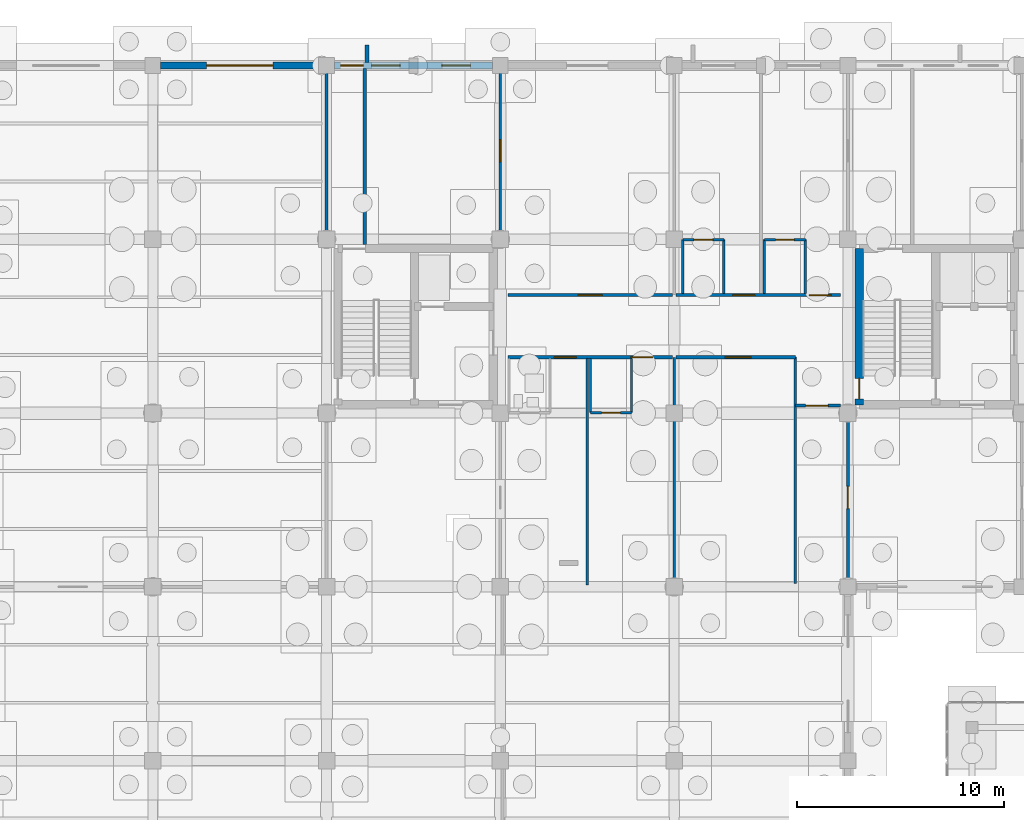
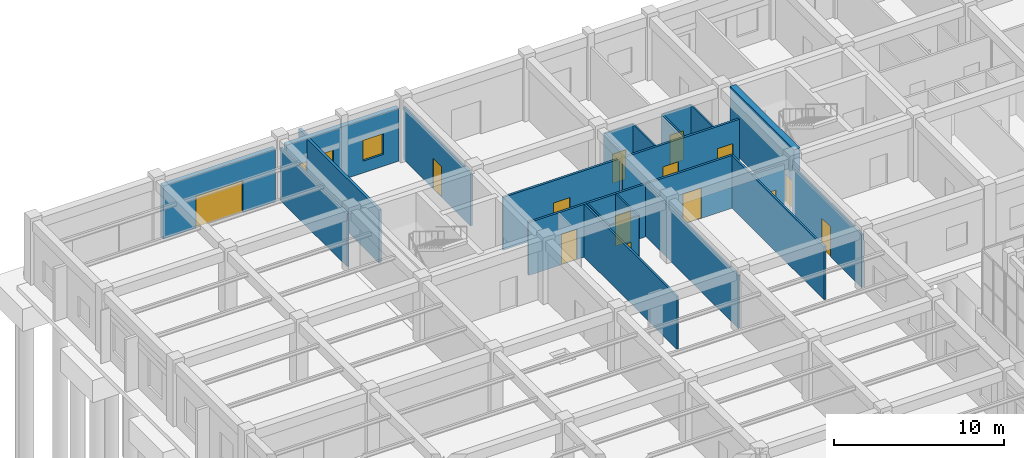
# One storey, part 162 of 192: 25 walls, 15 doors, 2 windows, 17 openings.
"""IFC4 building model written with IfcOpenShell, lengths in metres."""

from ifc_helpers import new_model, si_unit, direction, frame, frame_2d, origin, place, context, subcontext, project, spatial, rectangle, extrude, material, layer, layer_set, type_object, element, fill, save


model = new_model("IFC4")

# Units and contexts
model_context = context("Model", 3, precision=1e-05, world=origin(), true_north=direction((0.0, 1.0)))
body_context = subcontext(model_context, "Body", "Model", "MODEL_VIEW")
ifc_project = project(units=[si_unit("LENGTHUNIT", "METRE"), si_unit("AREAUNIT", "SQUARE_METRE"), si_unit("VOLUMEUNIT", "CUBIC_METRE"), si_unit("PLANEANGLEUNIT", "RADIAN"), si_unit("MASSUNIT", "GRAM", prefix="KILO")], contexts=[model_context])

# Site, building, storey
site_placement = place(None, origin())
site = spatial("IfcSite", under=ifc_project, at=site_placement, CompositionType="ELEMENT")
building_placement = place(site_placement, origin())
building = spatial("IfcBuilding", under=site, at=building_placement, Name="Trelvath General Hospital", CompositionType="ELEMENT")
storey_placement = place(building_placement, origin())
storey = spatial("IfcBuildingStorey", under=building, at=storey_placement, Name="L00", CompositionType="ELEMENT", Elevation=0.0)

# Wall
ifc_material_1 = material(Name="Precast concrete C40/50", Category="concrete")
ifc_layer_1 = layer(ifc_material_1, 0.199951171875)
ifc_layer_set_1 = layer_set([ifc_layer_1], Name="Precast concrete C40/50")
wall_type_1 = type_object("IfcWallType", Name="BriseSoleilRib 200", PredefinedType="ELEMENTEDWALL", material=ifc_layer_set_1)
wall_1_placement = place(storey_placement, frame((18.7548828125, 117.75, 0.0), z_axis=(0.0, 0.0, 1.0), x_axis=(0.0, 1.0, 0.0)))
element("IfcWall", 1, at=wall_1_placement, inside=storey, type_object=wall_type_1, Name="Precast Concrete Brise-Soleil Rib Fin L00-13", PredefinedType="ELEMENTEDWALL", context=body_context, shape_type="SweptSolid", body=[
    extrude(rectangle(XDim=0.85009765625, YDim=0.199951171875, at=frame_2d((0.425048828125, 0.0))), origin(), (0.0, 0.0, 1.0), 3.800048828125),
])

# Wall, openings, doors
ifc_material_2 = material(Name="Gypsum acoustic steel-stud partition", Category="steel")
ifc_layer_2 = layer(ifc_material_2, 0.14990234375)
ifc_layer_set_2 = layer_set([ifc_layer_2], Name="Gypsum acoustic steel-stud partition")
wall_type_2 = type_object("IfcWallType", Name="ClinicalPartition 150", PredefinedType="PARTITIONING", material=ifc_layer_set_2)
wall_2_placement = place(storey_placement, frame((25.56005859375, 103.5, 0.0), z_axis=(0.0, 0.0, 1.0), x_axis=(1.0, 0.0, 0.0)))
wall_2 = element("IfcWall", 2, at=wall_2_placement, inside=storey, type_object=wall_type_2, Name="Corridor Partition L00-171", PredefinedType="PARTITIONING", context=body_context, shape_type="SweptSolid", body=[
    extrude(rectangle(XDim=7.9599609375, YDim=0.14990234375, at=frame_2d((3.97998046875, 0.0))), origin(), (0.0, 0.0, 1.0), 3.800048828125),
])
opening_1_placement = place(wall_2_placement, frame((2.25, 0.0, 0.0)))
opening_1 = element("IfcOpeningElement", 3, at=opening_1_placement, cuts=wall_2, Name="Opening D-0-0365", PredefinedType="OPENING", context=body_context, shape_type="SweptSolid", body=[
    extrude(rectangle(XDim=1.050048828125, YDim=2.199951171875, at=frame_2d((0.52490234375, 1.10009765625))), frame((0.0, 0.0849609375, 0.0), z_axis=(0.0, -1.0, 0.0), x_axis=(1.0, 0.0, 0.0)), (0.0, 0.0, 1.0), 0.169921875),
])
opening_2_placement = place(wall_2_placement, frame((5.949951171875, 0.0, 0.0)))
opening_2 = element("IfcOpeningElement", 4, at=opening_2_placement, cuts=wall_2, Name="Opening D-0-0366", PredefinedType="OPENING", context=body_context, shape_type="SweptSolid", body=[
    extrude(rectangle(XDim=1.050048828125, YDim=2.199951171875, at=frame_2d((0.52490234375, 1.10009765625))), frame((0.0, 0.0849609375, 0.0), z_axis=(0.0, -1.0, 0.0), x_axis=(1.0, 0.0, 0.0)), (0.0, 0.0, 1.0), 0.169921875),
])
ifc_material_3 = material(Name="Acoustic hospital timber leaf", Category="wood")
door_type_1 = type_object("IfcDoorType", Name="Door Consult 1050x2200", OperationType="NOTDEFINED", PredefinedType="DOOR", material=ifc_material_3)
door_1_placement = place(opening_1_placement, origin())
door_1 = element("IfcDoor", 5, at=door_1_placement, inside=storey, type_object=door_type_1, Name="Patient Room Door L00-365", OperationType="SINGLE_SWING_LEFT", OverallHeight=2.199951171875, OverallWidth=1.050048828125, PredefinedType="DOOR", context=body_context, shape_type="SweptSolid", body=[
    extrude(rectangle(XDim=1.050048828125, YDim=2.199951171875, at=frame_2d((0.52490234375, 1.10009765625))), frame((0.0, 0.02490234375, 0.0), z_axis=(0.0, -1.0, 0.0), x_axis=(1.0, 0.0, 0.0)), (0.0, 0.0, 1.0), 0.050048828125),
])
fill(opening_1, door_1)
door_2_placement = place(opening_2_placement, origin())
door_2 = element("IfcDoor", 6, at=door_2_placement, inside=storey, type_object=door_type_1, Name="Patient Room Door L00-366", OperationType="SINGLE_SWING_RIGHT", OverallHeight=2.199951171875, OverallWidth=1.050048828125, PredefinedType="DOOR", context=body_context, shape_type="SweptSolid", body=[
    extrude(rectangle(XDim=1.050048828125, YDim=2.199951171875, at=frame_2d((0.52490234375, 1.10009765625))), frame((0.0, 0.02490234375, 0.0), z_axis=(0.0, -1.0, 0.0), x_axis=(1.0, 0.0, 0.0)), (0.0, 0.0, 1.0), 0.050048828125),
])
fill(opening_2, door_2)

# Wall, opening, door
wall_3_placement = place(storey_placement, frame((33.52001953125, 106.5, 0.0), z_axis=(0.0, 0.0, 1.0), x_axis=(-1.0, 0.0, 0.0)))
wall_3 = element("IfcWall", 7, at=wall_3_placement, inside=storey, type_object=wall_type_2, Name="Corridor Partition N L00-180", PredefinedType="PARTITIONING", context=body_context, shape_type="SweptSolid", body=[
    extrude(rectangle(XDim=7.9599609375, YDim=0.14990234375, at=frame_2d((3.97998046875, 0.0))), origin(), (0.0, 0.0, 1.0), 3.800048828125),
])
opening_3_placement = place(wall_3_placement, frame((3.405029296875, 0.0, 0.0)))
opening_3 = element("IfcOpeningElement", 8, at=opening_3_placement, cuts=wall_3, Name="Opening D-0-0369", PredefinedType="OPENING", context=body_context, shape_type="SweptSolid", body=[
    extrude(rectangle(XDim=1.14990234375, YDim=2.199951171875, at=frame_2d((0.574951171875, 1.10009765625))), frame((0.0, 0.0849609375, 0.0), z_axis=(0.0, -1.0, 0.0), x_axis=(1.0, 0.0, 0.0)), (0.0, 0.0, 1.0), 0.169921875),
])
ifc_material_4 = material(Name="Phenolic cleanroom door")
door_type_2 = type_object("IfcDoorType", Name="Door Pharmacy 1150x2200", OperationType="NOTDEFINED", PredefinedType="DOOR", material=ifc_material_4)
door_3_placement = place(opening_3_placement, origin())
door_3 = element("IfcDoor", 9, at=door_3_placement, inside=storey, type_object=door_type_2, Name="Clinical Room Door L00-369", OperationType="SINGLE_SWING_LEFT", OverallHeight=2.199951171875, OverallWidth=1.14990234375, PredefinedType="DOOR", context=body_context, shape_type="SweptSolid", body=[
    extrude(rectangle(XDim=1.14990234375, YDim=2.199951171875, at=frame_2d((0.574951171875, 1.10009765625))), frame((0.0, 0.02490234375, 0.0), z_axis=(0.0, -1.0, 0.0), x_axis=(1.0, 0.0, 0.0)), (0.0, 0.0, 1.0), 0.050048828125),
])
fill(opening_3, door_3)

wall_4_placement = place(storey_placement, frame((33.679931640625, 103.5, 0.0), z_axis=(0.0, 0.0, 1.0), x_axis=(1.0, 0.0, 0.0)))
wall_4 = element("IfcWall", 10, at=wall_4_placement, inside=storey, type_object=wall_type_2, Name="Nurse Station Partition L00-183", PredefinedType="PARTITIONING", context=body_context, shape_type="SweptSolid", body=[
    extrude(rectangle(XDim=5.780029296875, YDim=0.14990234375, at=frame_2d((2.89013671875, 0.0))), origin(), (0.0, 0.0, 1.0), 3.800048828125),
])
opening_4_placement = place(wall_4_placement, frame((2.3798828125, 0.0, 0.0)))
opening_4 = element("IfcOpeningElement", 11, at=opening_4_placement, cuts=wall_4, Name="Opening D-0-0370", PredefinedType="OPENING", context=body_context, shape_type="SweptSolid", body=[
    extrude(rectangle(XDim=1.25, YDim=2.199951171875, at=frame_2d((0.625, 1.10009765625))), frame((0.0, 0.0849609375, 0.0), z_axis=(0.0, -1.0, 0.0), x_axis=(1.0, 0.0, 0.0)), (0.0, 0.0, 1.0), 0.169921875),
])
ifc_material_5 = material(Name="Acoustic hospital timber leaf", Category="wood")
door_type_3 = type_object("IfcDoorType", Name="Door Treatment 1250x2200", OperationType="NOTDEFINED", PredefinedType="DOOR", material=ifc_material_5)
door_4_placement = place(opening_4_placement, origin())
door_4 = element("IfcDoor", 12, at=door_4_placement, inside=storey, type_object=door_type_3, Name="Nurse Station Door L00-370", OperationType="SINGLE_SWING_RIGHT", OverallHeight=2.199951171875, OverallWidth=1.25, PredefinedType="DOOR", context=body_context, shape_type="SweptSolid", body=[
    extrude(rectangle(XDim=1.25, YDim=2.199951171875, at=frame_2d((0.625, 1.10009765625))), frame((0.0, 0.02490234375, 0.0), z_axis=(0.0, -1.0, 0.0), x_axis=(1.0, 0.0, 0.0)), (0.0, 0.0, 1.0), 0.050048828125),
])
fill(opening_4, door_4)

wall_5_placement = place(storey_placement, frame((39.4599609375, 101.159912109375, 0.0), z_axis=(0.0, 0.0, 1.0), x_axis=(1.0, 0.0, 0.0)))
wall_5 = element("IfcWall", 13, at=wall_5_placement, inside=storey, type_object=wall_type_2, Name="Clean Utility Partition L00-185", PredefinedType="PARTITIONING", context=body_context, shape_type="SweptSolid", body=[
    extrude(rectangle(XDim=2.179931640625, YDim=0.14990234375, at=frame_2d((1.08984375, 0.0))), origin(), (0.0, 0.0, 1.0), 3.800048828125),
])
opening_5_placement = place(wall_5_placement, frame((0.5, 0.0, 0.0)))
opening_5 = element("IfcOpeningElement", 14, at=opening_5_placement, cuts=wall_5, Name="Opening D-0-0371", PredefinedType="OPENING", context=body_context, shape_type="SweptSolid", body=[
    extrude(rectangle(XDim=1.080078125, YDim=2.14990234375, at=frame_2d((0.5400390625, 1.074951171875))), frame((0.0, 0.0849609375, 0.0), z_axis=(0.0, -1.0, 0.0), x_axis=(1.0, 0.0, 0.0)), (0.0, 0.0, 1.0), 0.169921875),
])
ifc_material_6 = material(Name="Acoustic hospital timber leaf", Category="wood")
door_type_4 = type_object("IfcDoorType", Name="Door CleanSupply 1080x2150", OperationType="NOTDEFINED", PredefinedType="DOOR", material=ifc_material_6)
door_5_placement = place(opening_5_placement, origin())
door_5 = element("IfcDoor", 15, at=door_5_placement, inside=storey, type_object=door_type_4, Name="Clean Utility Door L00-371", OperationType="SINGLE_SWING_LEFT", OverallHeight=2.14990234375, OverallWidth=1.080078125, PredefinedType="DOOR", context=body_context, shape_type="SweptSolid", body=[
    extrude(rectangle(XDim=1.080078125, YDim=2.14990234375, at=frame_2d((0.5400390625, 1.074951171875))), frame((0.0, 0.02490234375, 0.0), z_axis=(0.0, -1.0, 0.0), x_axis=(1.0, 0.0, 0.0)), (0.0, 0.0, 1.0), 0.050048828125),
])
fill(opening_5, door_5)

# Wall, openings, doors
wall_6_placement = place(storey_placement, frame((41.639892578125, 106.5, 0.0), z_axis=(0.0, 0.0, 1.0), x_axis=(-1.0, 0.0, 0.0)))
wall_6 = element("IfcWall", 16, at=wall_6_placement, inside=storey, type_object=wall_type_2, Name="Corridor Partition N L00-186", PredefinedType="PARTITIONING", context=body_context, shape_type="SweptSolid", body=[
    extrude(rectangle(XDim=7.9599609375, YDim=0.14990234375, at=frame_2d((3.97998046875, 0.0))), origin(), (0.0, 0.0, 1.0), 3.800048828125),
])
opening_6_placement = place(wall_6_placement, frame((0.449951171875, 0.0, 0.0)))
opening_6 = element("IfcOpeningElement", 17, at=opening_6_placement, cuts=wall_6, Name="Opening D-0-0372", PredefinedType="OPENING", context=body_context, shape_type="SweptSolid", body=[
    extrude(rectangle(XDim=1.050048828125, YDim=2.199951171875, at=frame_2d((0.52490234375, 1.10009765625))), frame((0.0, 0.0849609375, 0.0), z_axis=(0.0, -1.0, 0.0), x_axis=(1.0, 0.0, 0.0)), (0.0, 0.0, 1.0), 0.169921875),
])
opening_7_placement = place(wall_6_placement, frame((4.14990234375, 0.0, 0.0)))
opening_7 = element("IfcOpeningElement", 18, at=opening_7_placement, cuts=wall_6, Name="Opening D-0-0373", PredefinedType="OPENING", context=body_context, shape_type="SweptSolid", body=[
    extrude(rectangle(XDim=1.050048828125, YDim=2.199951171875, at=frame_2d((0.52490234375, 1.10009765625))), frame((0.0, 0.0849609375, 0.0), z_axis=(0.0, -1.0, 0.0), x_axis=(1.0, 0.0, 0.0)), (0.0, 0.0, 1.0), 0.169921875),
])
door_6_placement = place(opening_6_placement, origin())
door_6 = element("IfcDoor", 19, at=door_6_placement, inside=storey, type_object=door_type_1, Name="Patient Room Door N L00-372", OperationType="SINGLE_SWING_RIGHT", OverallHeight=2.199951171875, OverallWidth=1.050048828125, PredefinedType="DOOR", context=body_context, shape_type="SweptSolid", body=[
    extrude(rectangle(XDim=1.050048828125, YDim=2.199951171875, at=frame_2d((0.52490234375, 1.10009765625))), frame((0.0, 0.02490234375, 0.0), z_axis=(0.0, -1.0, 0.0), x_axis=(1.0, 0.0, 0.0)), (0.0, 0.0, 1.0), 0.050048828125),
])
fill(opening_6, door_6)
door_7_placement = place(opening_7_placement, origin())
door_7 = element("IfcDoor", 20, at=door_7_placement, inside=storey, type_object=door_type_1, Name="Patient Room Door N L00-373", OperationType="SINGLE_SWING_RIGHT", OverallHeight=2.199951171875, OverallWidth=1.050048828125, PredefinedType="DOOR", context=body_context, shape_type="SweptSolid", body=[
    extrude(rectangle(XDim=1.050048828125, YDim=2.199951171875, at=frame_2d((0.52490234375, 1.10009765625))), frame((0.0, 0.02490234375, 0.0), z_axis=(0.0, -1.0, 0.0), x_axis=(1.0, 0.0, 0.0)), (0.0, 0.0, 1.0), 0.050048828125),
])
fill(opening_7, door_7)

# Wall, opening, door
ifc_material_7 = material(Name="Concrete C40/50", Category="concrete")
ifc_layer_3 = layer(ifc_material_7, 0.39990234375)
ifc_layer_set_3 = layer_set([ifc_layer_3], Name="Concrete C40/50")
wall_type_3 = type_object("IfcWallType", Name="CoreShearWall 400", PredefinedType="SHEAR", material=ifc_layer_set_3)
wall_7_placement = place(storey_placement, frame((42.550048828125, 101.199951171875, 0.0), z_axis=(0.0, 0.0, 1.0), x_axis=(0.0, 1.0, 0.0)))
wall_7 = element("IfcWall", 21, at=wall_7_placement, inside=storey, type_object=wall_type_3, Name="Core Shear Wall C1 W L00", PredefinedType="SHEAR", context=body_context, shape_type="SweptSolid", body=[
    extrude(rectangle(XDim=7.550048828125, YDim=0.39990234375, at=frame_2d((3.77490234375, 0.0))), origin(), (0.0, 0.0, 1.0), 4.52001953125),
])
opening_8_placement = place(wall_7_placement, frame((0.280029296875, 0.0, 0.0)))
opening_8 = element("IfcOpeningElement", 22, at=opening_8_placement, cuts=wall_7, Name="Opening FD-SW10", PredefinedType="OPENING", context=body_context, shape_type="SweptSolid", body=[
    extrude(rectangle(XDim=1.0, YDim=2.14990234375, at=frame_2d((0.5, 1.074951171875))), frame((0.0, 0.2099609375, 0.0), z_axis=(0.0, -1.0, 0.0), x_axis=(1.0, 0.0, 0.0)), (0.0, 0.0, 1.0), 0.419921875),
])
ifc_material_8 = material(Name="Fire-rated steel door", Category="steel")
door_type_5 = type_object("IfcDoorType", Name="Door FireStair 1100x2150", OperationType="NOTDEFINED", PredefinedType="DOOR", material=ifc_material_8)
door_8_placement = place(opening_8_placement, origin())
door_8 = element("IfcDoor", 23, at=door_8_placement, inside=storey, type_object=door_type_5, Name="West Corridor Stair Door ST1 L00", OperationType="SINGLE_SWING_LEFT", OverallHeight=2.14990234375, OverallWidth=1.0, PredefinedType="DOOR", context=body_context, shape_type="SweptSolid", body=[
    extrude(rectangle(XDim=1.0, YDim=2.14990234375, at=frame_2d((0.5, 1.074951171875))), frame((0.0, 0.02490234375, 0.0), z_axis=(0.0, -1.0, 0.0), x_axis=(1.0, 0.0, 0.0)), (0.0, 0.0, 1.0), 0.050048828125),
])
fill(opening_8, door_8)

# Walls
ifc_material_9 = material(Name="Moisture-resistant tile partition")
ifc_layer_4 = layer(ifc_material_9, 0.110107421875)
ifc_layer_set_4 = layer_set([ifc_layer_4], Name="Moisture-resistant tile partition")
wall_type_4 = type_object("IfcWallType", Name="EnSuiteWetWall 110", PredefinedType="PARTITIONING", material=ifc_layer_set_4)
for number, where, z_axis, x_axis, name in (
    (24, (29.56005859375, 100.820068359375, 0.0), (0.0, 0.0, 1.0), (0.0, 1.0, 0.0), "En-Suite W Wall L00-176"),
    (25, (31.5400390625, 100.820068359375, 0.0), (0.0, 0.0, 1.0), (0.0, 1.0, 0.0), "En-Suite E Wall L00-177"),
):
    element("IfcWall", number, at=place(storey_placement, frame(where, z_axis=z_axis, x_axis=x_axis)), inside=storey, type_object=wall_type_4, Name=name, PredefinedType="PARTITIONING", context=body_context, shape_type="SweptSolid", body=[
        extrude(rectangle(XDim=2.60986328125, YDim=0.110107421875, at=frame_2d((1.304931640625, 0.0))), origin(), (0.0, 0.0, 1.0), 3.800048828125),
    ])

# Wall, opening, door
wall_8_placement = place(storey_placement, frame((29.56005859375, 100.820068359375, 0.0), z_axis=(0.0, 0.0, 1.0), x_axis=(1.0, 0.0, 0.0)))
wall_8 = element("IfcWall", 26, at=wall_8_placement, inside=storey, type_object=wall_type_4, Name="En-Suite Bathroom Partition L00-178", PredefinedType="PARTITIONING", context=body_context, shape_type="SweptSolid", body=[
    extrude(rectangle(XDim=1.97998046875, YDim=0.110107421875, at=frame_2d((0.989990234375, 0.0))), origin(), (0.0, 0.0, 1.0), 3.800048828125),
])
opening_9_placement = place(wall_8_placement, frame((0.5400390625, 0.0, 0.0)))
opening_9 = element("IfcOpeningElement", 27, at=opening_9_placement, cuts=wall_8, Name="Opening D-0-0368", PredefinedType="OPENING", context=body_context, shape_type="SweptSolid", body=[
    extrude(rectangle(XDim=0.89990234375, YDim=2.10009765625, at=frame_2d((0.449951171875, 1.050048828125))), frame((0.0, 0.06494140625, 0.0), z_axis=(0.0, -1.0, 0.0), x_axis=(1.0, 0.0, 0.0)), (0.0, 0.0, 1.0), 0.130126953125),
])
ifc_material_10 = material(Name="Moisture-sealed timber leaf", Category="wood")
door_type_6 = type_object("IfcDoorType", Name="Door EnSuite 900x2100", OperationType="NOTDEFINED", PredefinedType="DOOR", material=ifc_material_10)
door_9_placement = place(opening_9_placement, origin())
door_9 = element("IfcDoor", 28, at=door_9_placement, inside=storey, type_object=door_type_6, Name="En-Suite Bathroom Door L00-368", OperationType="SINGLE_SWING_RIGHT", OverallHeight=2.10009765625, OverallWidth=0.89990234375, PredefinedType="DOOR", context=body_context, shape_type="SweptSolid", body=[
    extrude(rectangle(XDim=0.89990234375, YDim=2.10009765625, at=frame_2d((0.449951171875, 1.050048828125))), frame((0.0, 0.02490234375, 0.0), z_axis=(0.0, -1.0, 0.0), x_axis=(1.0, 0.0, 0.0)), (0.0, 0.0, 1.0), 0.050048828125),
])
fill(opening_9, door_9)

# Walls
for number, where, z_axis, x_axis, name in (
    (29, (34.02001953125, 106.570068359375, 0.0), (0.0, 0.0, 1.0), (0.0, 1.0, 0.0), "En-Suite W Wall N L00-188"),
    (30, (36.0, 106.570068359375, 0.0), (0.0, 0.0, 1.0), (0.0, 1.0, 0.0), "En-Suite E Wall N L00-189"),
):
    element("IfcWall", number, at=place(storey_placement, frame(where, z_axis=z_axis, x_axis=x_axis)), inside=storey, type_object=wall_type_4, Name=name, PredefinedType="PARTITIONING", context=body_context, shape_type="SweptSolid", body=[
        extrude(rectangle(XDim=2.60986328125, YDim=0.110107421875, at=frame_2d((1.304931640625, 0.0))), origin(), (0.0, 0.0, 1.0), 3.800048828125),
    ])

# Wall, opening, door
wall_9_placement = place(storey_placement, frame((34.02001953125, 109.179931640625, 0.0), z_axis=(0.0, 0.0, 1.0), x_axis=(1.0, 0.0, 0.0)))
wall_9 = element("IfcWall", 31, at=wall_9_placement, inside=storey, type_object=wall_type_4, Name="En-Suite Bathroom N Partition L00-190", PredefinedType="PARTITIONING", context=body_context, shape_type="SweptSolid", body=[
    extrude(rectangle(XDim=1.97998046875, YDim=0.110107421875, at=frame_2d((0.989990234375, 0.0))), origin(), (0.0, 0.0, 1.0), 3.800048828125),
])
opening_10_placement = place(wall_9_placement, frame((0.5400390625, 0.0, 0.0)))
opening_10 = element("IfcOpeningElement", 32, at=opening_10_placement, cuts=wall_9, Name="Opening D-0-0374", PredefinedType="OPENING", context=body_context, shape_type="SweptSolid", body=[
    extrude(rectangle(XDim=0.89990234375, YDim=2.10009765625, at=frame_2d((0.449951171875, 1.050048828125))), frame((0.0, 0.06494140625, 0.0), z_axis=(0.0, -1.0, 0.0), x_axis=(1.0, 0.0, 0.0)), (0.0, 0.0, 1.0), 0.130126953125),
])
door_10_placement = place(opening_10_placement, origin())
door_10 = element("IfcDoor", 33, at=door_10_placement, inside=storey, type_object=door_type_6, Name="En-Suite Bathroom N Door L00-374", OperationType="SINGLE_SWING_LEFT", OverallHeight=2.10009765625, OverallWidth=0.89990234375, PredefinedType="DOOR", context=body_context, shape_type="SweptSolid", body=[
    extrude(rectangle(XDim=0.89990234375, YDim=2.10009765625, at=frame_2d((0.449951171875, 1.050048828125))), frame((0.0, 0.02490234375, 0.0), z_axis=(0.0, -1.0, 0.0), x_axis=(1.0, 0.0, 0.0)), (0.0, 0.0, 1.0), 0.050048828125),
])
fill(opening_10, door_10)

# Walls
for number, where, z_axis, x_axis, name in (
    (34, (37.9599609375, 106.570068359375, 0.0), (0.0, 0.0, 1.0), (0.0, 1.0, 0.0), "En-Suite W Wall N L00-191"),
    (35, (39.93994140625, 106.570068359375, 0.0), (0.0, 0.0, 1.0), (0.0, 1.0, 0.0), "En-Suite E Wall N L00-192"),
):
    element("IfcWall", number, at=place(storey_placement, frame(where, z_axis=z_axis, x_axis=x_axis)), inside=storey, type_object=wall_type_4, Name=name, PredefinedType="PARTITIONING", context=body_context, shape_type="SweptSolid", body=[
        extrude(rectangle(XDim=2.60986328125, YDim=0.110107421875, at=frame_2d((1.304931640625, 0.0))), origin(), (0.0, 0.0, 1.0), 3.800048828125),
    ])

# Wall, opening, door
wall_10_placement = place(storey_placement, frame((37.9599609375, 109.179931640625, 0.0), z_axis=(0.0, 0.0, 1.0), x_axis=(1.0, 0.0, 0.0)))
wall_10 = element("IfcWall", 36, at=wall_10_placement, inside=storey, type_object=wall_type_4, Name="En-Suite Bathroom N Partition L00-193", PredefinedType="PARTITIONING", context=body_context, shape_type="SweptSolid", body=[
    extrude(rectangle(XDim=1.97998046875, YDim=0.110107421875, at=frame_2d((0.989990234375, 0.0))), origin(), (0.0, 0.0, 1.0), 3.800048828125),
])
opening_11_placement = place(wall_10_placement, frame((0.5400390625, 0.0, 0.0)))
opening_11 = element("IfcOpeningElement", 37, at=opening_11_placement, cuts=wall_10, Name="Opening D-0-0375", PredefinedType="OPENING", context=body_context, shape_type="SweptSolid", body=[
    extrude(rectangle(XDim=0.89990234375, YDim=2.10009765625, at=frame_2d((0.449951171875, 1.050048828125))), frame((0.0, 0.06494140625, 0.0), z_axis=(0.0, -1.0, 0.0), x_axis=(1.0, 0.0, 0.0)), (0.0, 0.0, 1.0), 0.130126953125),
])
door_11_placement = place(opening_11_placement, origin())
door_11 = element("IfcDoor", 38, at=door_11_placement, inside=storey, type_object=door_type_6, Name="En-Suite Bathroom N Door L00-375", OperationType="SINGLE_SWING_RIGHT", OverallHeight=2.10009765625, OverallWidth=0.89990234375, PredefinedType="DOOR", context=body_context, shape_type="SweptSolid", body=[
    extrude(rectangle(XDim=0.89990234375, YDim=2.10009765625, at=frame_2d((0.449951171875, 1.050048828125))), frame((0.0, 0.02490234375, 0.0), z_axis=(0.0, -1.0, 0.0), x_axis=(1.0, 0.0, 0.0)), (0.0, 0.0, 1.0), 0.050048828125),
])
fill(opening_11, door_11)

ifc_material_11 = material(Name="Concrete C35/45", Category="concrete")
ifc_layer_5 = layer(ifc_material_11, 0.320068359375)
ifc_layer_set_5 = layer_set([ifc_layer_5], Name="Concrete C35/45")
wall_type_5 = type_object("IfcWallType", Name="ExtThermalWall 320", PredefinedType="SOLIDWALL", material=ifc_layer_set_5)
wall_11_placement = place(storey_placement, frame((8.77490234375, 117.60009765625, 0.0), z_axis=(0.0, 0.0, 1.0), x_axis=(1.0, 0.0, 0.0)))
wall_11 = element("IfcWall", 39, at=wall_11_placement, inside=storey, type_object=wall_type_5, Name="Exterior Concrete Wall L00-18", PredefinedType="SOLIDWALL", context=body_context, shape_type="SweptSolid", body=[
    extrude(rectangle(XDim=7.650146484375, YDim=0.320068359375, at=frame_2d((3.8251953125, 0.0))), origin(), (0.0, 0.0, 1.0), 3.820068359375),
])
opening_12_placement = place(wall_11_placement, frame((2.22509765625, 0.0, 0.0)))
opening_12 = element("IfcOpeningElement", 40, at=opening_12_placement, cuts=wall_11, Name="Opening GT-203", PredefinedType="OPENING", context=body_context, shape_type="SweptSolid", body=[
    extrude(rectangle(XDim=3.199951171875, YDim=2.300048828125, at=frame_2d((1.60009765625, 1.14990234375))), frame((0.0, 0.169921875, 0.0), z_axis=(0.0, -1.0, 0.0), x_axis=(1.0, 0.0, 0.0)), (0.0, 0.0, 1.0), 0.340087890625),
])
ifc_material_12 = material(Name="Architectural painted steel yard gate", Category="steel")
door_type_7 = type_object("IfcDoorType", Name="Gate ServiceYard 3200x2300", OperationType="DOUBLE_SWING_LEFT", PredefinedType="GATE", material=ifc_material_12)
door_12_placement = place(opening_12_placement, origin())
door_12 = element("IfcDoor", 41, at=door_12_placement, inside=storey, type_object=door_type_7, Name="Building Service Portal Gate GT-203", OperationType="DOUBLE_SWING_LEFT", OverallHeight=2.300048828125, OverallWidth=3.199951171875, PredefinedType="GATE", context=body_context, shape_type="SweptSolid", body=[
    extrude(rectangle(XDim=3.199951171875, YDim=2.300048828125, at=frame_2d((1.60009765625, 1.14990234375))), frame((0.0, 0.02490234375, 0.0), z_axis=(0.0, -1.0, 0.0), x_axis=(1.0, 0.0, 0.0)), (0.0, 0.0, 1.0), 0.050048828125),
])
fill(opening_12, door_12)

# Wall, openings, door, windows
wall_12_placement = place(storey_placement, frame((17.175048828125, 117.60009765625, 0.0), z_axis=(0.0, 0.0, 1.0), x_axis=(1.0, 0.0, 0.0)))
wall_12 = element("IfcWall", 42, at=wall_12_placement, inside=storey, type_object=wall_type_5, Name="Exterior Concrete Wall L00-20", PredefinedType="SOLIDWALL", context=body_context, shape_type="SweptSolid", body=[
    extrude(rectangle(XDim=7.64990234375, YDim=0.320068359375, at=frame_2d((3.824951171875, 0.0))), origin(), (0.0, 0.0, 1.0), 3.820068359375),
])
opening_13_placement = place(wall_12_placement, frame((0.300048828125, 0.0, 0.0)))
opening_13 = element("IfcOpeningElement", 43, at=opening_13_placement, cuts=wall_12, Name="Opening E-ST3", PredefinedType="OPENING", context=body_context, shape_type="SweptSolid", body=[
    extrude(rectangle(XDim=1.10009765625, YDim=2.14990234375, at=frame_2d((0.550048828125, 1.074951171875))), frame((0.0, 0.169921875, 0.0), z_axis=(0.0, -1.0, 0.0), x_axis=(1.0, 0.0, 0.0)), (0.0, 0.0, 1.0), 0.340087890625),
])
opening_14_placement = place(wall_12_placement, frame((1.800048828125, 0.0, 0.85009765625)))
opening_14 = element("IfcOpeningElement", 44, at=opening_14_placement, cuts=wall_12, Name="Opening WN-0-025", PredefinedType="OPENING", context=body_context, shape_type="SweptSolid", body=[
    extrude(rectangle(XDim=1.3798828125, YDim=1.5, at=frame_2d((0.68994140625, 0.75))), frame((0.0, 0.169921875, 0.0), z_axis=(0.0, -1.0, 0.0), x_axis=(1.0, 0.0, 0.0)), (0.0, 0.0, 1.0), 0.340087890625),
])
opening_15_placement = place(wall_12_placement, frame((5.200439453125, 0.0, 0.85009765625)))
opening_15 = element("IfcOpeningElement", 45, at=opening_15_placement, cuts=wall_12, Name="Opening WN-0-026", PredefinedType="OPENING", context=body_context, shape_type="SweptSolid", body=[
    extrude(rectangle(XDim=1.3798828125, YDim=1.5, at=frame_2d((0.68994140625, 0.75))), frame((0.0, 0.169921875, 0.0), z_axis=(0.0, -1.0, 0.0), x_axis=(1.0, 0.0, 0.0)), (0.0, 0.0, 1.0), 0.340087890625),
])
door_13_placement = place(opening_13_placement, origin())
door_13 = element("IfcDoor", 46, at=door_13_placement, inside=storey, type_object=door_type_5, Name="Pedestrian Final Exit Discharge Door E-ST3", OperationType="SINGLE_SWING_LEFT", OverallHeight=2.14990234375, OverallWidth=1.10009765625, PredefinedType="DOOR", context=body_context, shape_type="SweptSolid", body=[
    extrude(rectangle(XDim=1.10009765625, YDim=2.14990234375, at=frame_2d((0.550048828125, 1.074951171875))), frame((0.0, 0.02490234375, 0.0), z_axis=(0.0, -1.0, 0.0), x_axis=(1.0, 0.0, 0.0)), (0.0, 0.0, 1.0), 0.050048828125),
])
fill(opening_13, door_13)
ifc_material_13 = material(Name="Low-E laminated glass", Category="glass")
window_type = type_object("IfcWindowType", Name="Window Admin 1380x1500", PartitioningType="SINGLE_PANEL", PredefinedType="WINDOW", material=ifc_material_13)
window_1_placement = place(opening_14_placement, origin())
window_1 = element("IfcWindow", 47, at=window_1_placement, inside=storey, type_object=window_type, Name="Solar Reveal Window L00-25", OverallHeight=1.5, OverallWidth=1.3798828125, PartitioningType="SINGLE_PANEL", PredefinedType="WINDOW", context=body_context, shape_type="SweptSolid", body=[
    extrude(rectangle(XDim=1.3798828125, YDim=1.5, at=frame_2d((0.68994140625, 0.75))), frame((0.0, 0.030029296875, 0.0), z_axis=(0.0, -1.0, 0.0), x_axis=(1.0, 0.0, 0.0)), (0.0, 0.0, 1.0), 0.06005859375),
])
fill(opening_14, window_1)
window_2_placement = place(opening_15_placement, origin())
window_2 = element("IfcWindow", 48, at=window_2_placement, inside=storey, type_object=window_type, Name="Solar Reveal Window L00-26", OverallHeight=1.5, OverallWidth=1.3798828125, PartitioningType="SINGLE_PANEL", PredefinedType="WINDOW", context=body_context, shape_type="SweptSolid", body=[
    extrude(rectangle(XDim=1.3798828125, YDim=1.5, at=frame_2d((0.68994140625, 0.75))), frame((0.0, 0.030029296875, 0.0), z_axis=(0.0, -1.0, 0.0), x_axis=(1.0, 0.0, 0.0)), (0.0, 0.0, 1.0), 0.06005859375),
])
fill(opening_15, window_2)

# Walls
ifc_material_14 = material(Name="Masonry fire blockwork", Category="masonry")
ifc_layer_6 = layer(ifc_material_14, 0.179931640625)
ifc_layer_set_6 = layer_set([ifc_layer_6], Name="Masonry fire blockwork")
wall_type_6 = type_object("IfcWallType", Name="SmokeBarrierWall 180", PredefinedType="PARTITIONING", material=ifc_layer_set_6)
wall_13_placement = place(storey_placement, frame((18.64990234375, 108.9599609375, 0.0), z_axis=(0.0, 0.0, 1.0), x_axis=(0.0, 1.0, 0.0)))
element("IfcWall", 49, at=wall_13_placement, inside=storey, type_object=wall_type_6, Name="Exit Passage Fire Wall ST3 L00", PredefinedType="PARTITIONING", context=body_context, shape_type="SweptSolid", body=[
    extrude(rectangle(XDim=8.5, YDim=0.179931640625, at=frame_2d((4.25, 0.0))), origin(), (0.0, 0.0, 1.0), 3.800048828125),
])
ifc_material_15 = material(Name="Gypsum acoustic steel-stud partition", Category="steel")
ifc_layer_7 = layer(ifc_material_15, 0.1298828125)
ifc_layer_set_7 = layer_set([ifc_layer_7], Name="Gypsum acoustic steel-stud partition")
wall_type_7 = type_object("IfcWallType", Name="WardPartition 130", PredefinedType="PARTITIONING", material=ifc_layer_set_7)
wall_14_placement = place(storey_placement, frame((16.800048828125, 109.550048828125, 0.0), z_axis=(0.0, 0.0, 1.0), x_axis=(0.0, 1.0, 0.0)))
element("IfcWall", 50, at=wall_14_placement, inside=storey, type_object=wall_type_7, Name="Inter-Bay Ward Partition N L00-167", PredefinedType="PARTITIONING", context=body_context, shape_type="SweptSolid", body=[
    extrude(rectangle(XDim=7.909912109375, YDim=0.1298828125, at=frame_2d((3.955078125, 0.0))), origin(), (0.0, 0.0, 1.0), 3.800048828125),
])

# Wall, opening, door
wall_15_placement = place(storey_placement, frame((25.199951171875, 109.550048828125, 0.0), z_axis=(0.0, 0.0, 1.0), x_axis=(0.0, 1.0, 0.0)))
wall_15 = element("IfcWall", 51, at=wall_15_placement, inside=storey, type_object=wall_type_7, Name="Inter-Bay Ward Partition N L00-170", PredefinedType="PARTITIONING", context=body_context, shape_type="SweptSolid", body=[
    extrude(rectangle(XDim=7.909912109375, YDim=0.1298828125, at=frame_2d((3.955078125, 0.0))), origin(), (0.0, 0.0, 1.0), 3.800048828125),
])
opening_16_placement = place(wall_15_placement, frame((3.39990234375, 0.0, 0.0)))
opening_16 = element("IfcOpeningElement", 52, at=opening_16_placement, cuts=wall_15, Name="Opening D-0-0364", PredefinedType="OPENING", context=body_context, shape_type="SweptSolid", body=[
    extrude(rectangle(XDim=1.050048828125, YDim=2.199951171875, at=frame_2d((0.52490234375, 1.10009765625))), frame((0.0, 0.074951171875, 0.0), z_axis=(0.0, -1.0, 0.0), x_axis=(1.0, 0.0, 0.0)), (0.0, 0.0, 1.0), 0.14990234375),
])
door_14_placement = place(opening_16_placement, origin())
door_14 = element("IfcDoor", 53, at=door_14_placement, inside=storey, type_object=door_type_1, Name="Consultation Connecting Door L00-364", OperationType="SINGLE_SWING_RIGHT", OverallHeight=2.199951171875, OverallWidth=1.050048828125, PredefinedType="DOOR", context=body_context, shape_type="SweptSolid", body=[
    extrude(rectangle(XDim=1.050048828125, YDim=2.199951171875, at=frame_2d((0.52490234375, 1.10009765625))), frame((0.0, 0.02490234375, 0.0), z_axis=(0.0, -1.0, 0.0), x_axis=(1.0, 0.0, 0.0)), (0.0, 0.0, 1.0), 0.050048828125),
])
fill(opening_16, door_14)

# Walls
wall_16_placement = place(storey_placement, frame((29.39990234375, 92.5, 0.0), z_axis=(0.0, 0.0, 1.0), x_axis=(0.0, 1.0, 0.0)))
element("IfcWall", 54, at=wall_16_placement, inside=storey, type_object=wall_type_7, Name="Room Dividing Partition S L00-172", PredefinedType="PARTITIONING", context=body_context, shape_type="SweptSolid", body=[
    extrude(rectangle(XDim=10.929931640625, YDim=0.1298828125, at=frame_2d((5.46484375, 0.0))), origin(), (0.0, 0.0, 1.0), 3.800048828125),
])
for number, where, z_axis, x_axis, name in (
    (55, (33.60009765625, 92.5400390625, 0.0), (0.0, 0.0, 1.0), (0.0, 1.0, 0.0), "Inter-Bay Ward Partition S L00-181"),
    (56, (39.4599609375, 92.56005859375, 0.0), (0.0, 0.0, 1.0), (0.0, 1.0, 0.0), "Nurse Alcove Partition L00-184"),
):
    element("IfcWall", number, at=place(storey_placement, frame(where, z_axis=z_axis, x_axis=x_axis)), inside=storey, type_object=wall_type_7, Name=name, PredefinedType="PARTITIONING", context=body_context, shape_type="SweptSolid", body=[
        extrude(rectangle(XDim=10.93994140625, YDim=0.1298828125, at=frame_2d((5.469970703125, 0.0))), origin(), (0.0, 0.0, 1.0), 3.800048828125),
    ])

# Wall, opening, door
wall_17_placement = place(storey_placement, frame((42.0, 92.5400390625, 0.0), z_axis=(0.0, 0.0, 1.0), x_axis=(0.0, 1.0, 0.0)))
wall_17 = element("IfcWall", 57, at=wall_17_placement, inside=storey, type_object=wall_type_7, Name="Inter-Bay Ward Partition S L00-194", PredefinedType="PARTITIONING", context=body_context, shape_type="SweptSolid", body=[
    extrude(rectangle(XDim=8.2099609375, YDim=0.1298828125, at=frame_2d((4.10498046875, 0.0))), origin(), (0.0, 0.0, 1.0), 3.800048828125),
])
opening_17_placement = place(wall_17_placement, frame((3.639892578125, 0.0, 0.0)))
opening_17 = element("IfcOpeningElement", 58, at=opening_17_placement, cuts=wall_17, Name="Opening D-0-0376", PredefinedType="OPENING", context=body_context, shape_type="SweptSolid", body=[
    extrude(rectangle(XDim=1.080078125, YDim=2.14990234375, at=frame_2d((0.5400390625, 1.074951171875))), frame((0.0, 0.074951171875, 0.0), z_axis=(0.0, -1.0, 0.0), x_axis=(1.0, 0.0, 0.0)), (0.0, 0.0, 1.0), 0.14990234375),
])
door_15_placement = place(opening_17_placement, origin())
door_15 = element("IfcDoor", 59, at=door_15_placement, inside=storey, type_object=door_type_4, Name="Clean Supply Connecting Door L00-376", OperationType="SINGLE_SWING_LEFT", OverallHeight=2.14990234375, OverallWidth=1.080078125, PredefinedType="DOOR", context=body_context, shape_type="SweptSolid", body=[
    extrude(rectangle(XDim=1.080078125, YDim=2.14990234375, at=frame_2d((0.5400390625, 1.074951171875))), frame((0.0, 0.02490234375, 0.0), z_axis=(0.0, -1.0, 0.0), x_axis=(1.0, 0.0, 0.0)), (0.0, 0.0, 1.0), 0.050048828125),
])
fill(opening_17, door_15)

save(model, "model.ifc")
